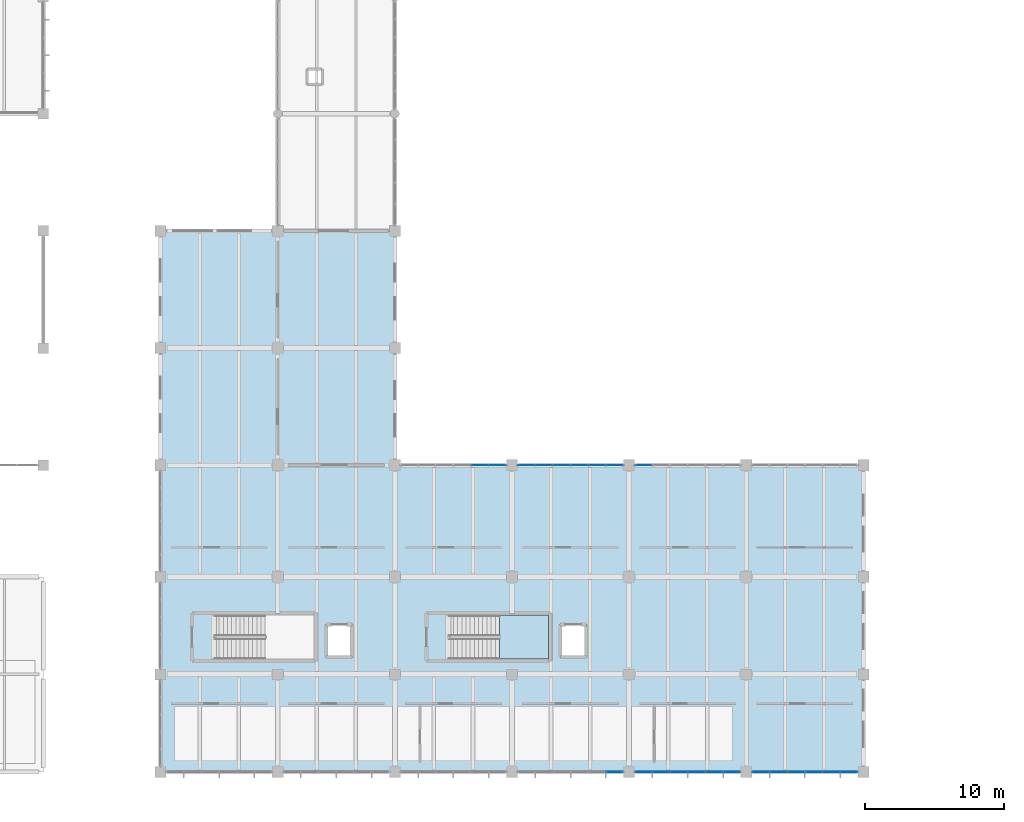
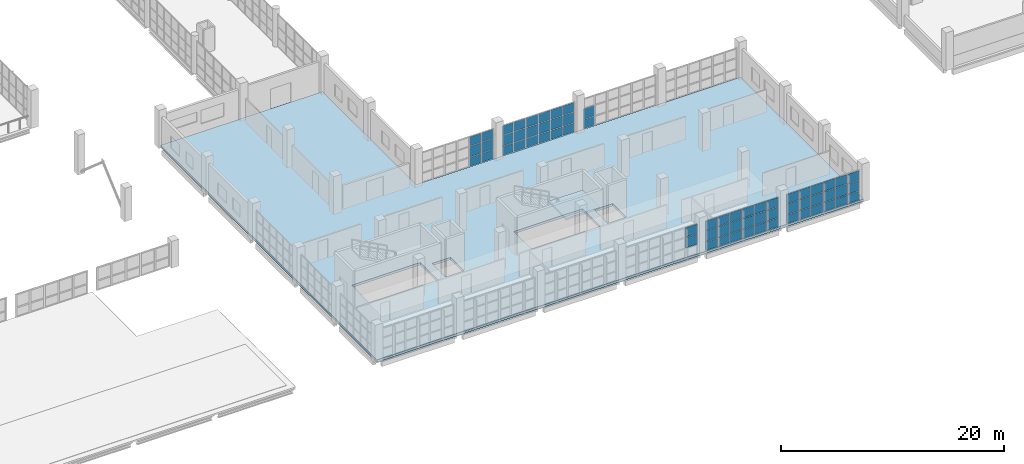
# One storey, part 125 of 177: 64 plates, 2 slabs, 7 elements without a shape of their own.
"""IFC4 building model written with IfcOpenShell, lengths in metres."""

from ifc_helpers import new_model, si_unit, direction, frame, origin, origin_2d, place, context, subcontext, project, spatial, polyline, rectangle, outline, extrude, material, layer, layer_set, type_object, element, aggregate, save


model = new_model("IFC4")

# Units and contexts
model_context = context("Model", 3, precision=1e-05, world=origin(), true_north=direction((0.0, 1.0)))
body_context = subcontext(model_context, "Body", "Model", "MODEL_VIEW")
ifc_project = project(units=[si_unit("LENGTHUNIT", "METRE"), si_unit("AREAUNIT", "SQUARE_METRE"), si_unit("VOLUMEUNIT", "CUBIC_METRE"), si_unit("PLANEANGLEUNIT", "RADIAN"), si_unit("MASSUNIT", "GRAM", prefix="KILO"), si_unit("THERMODYNAMICTEMPERATUREUNIT", "KELVIN"), si_unit("POWERUNIT", "WATT")], contexts=[model_context])

# Site, building, storey
site_placement = place(None, origin())
site = spatial("IfcSite", under=ifc_project, at=site_placement, CompositionType="ELEMENT")
building_placement = place(site_placement, origin())
building = spatial("IfcBuilding", under=site, at=building_placement, Name="Mavoryth Pier Ferry Terminal", CompositionType="ELEMENT")
storey_placement = place(building_placement, frame((0.0, 0.0, 5.43994140625)))
storey = spatial("IfcBuildingStorey", under=building, at=storey_placement, Name="L01", CompositionType="ELEMENT", Elevation=5.43994140625)

# Curtain wall, plates
ifc_material_1 = material(Name="Anodised Aluminium and Solar-Control Low-E Glass", Category="aluminium")
ifc_layer_1 = layer(ifc_material_1, 0.239990234375, Name="Anodised Aluminium and Solar-Control Low-E Glass", Category="aluminium")
ifc_layer_set_1 = layer_set([ifc_layer_1], Name="Anodised Aluminium and Solar-Control Low-E Glass - CW-Operations-Mod1200")
curtain_wall_type = type_object("IfcCurtainWallType", Name="CW-Operations-Mod1200", PredefinedType="USERDEFINED", material=ifc_layer_set_1)
curtain_wall_1_placement = place(storey_placement, origin())
curtain_wall_1 = element("IfcCurtainWall", 1, at=curtain_wall_1_placement, inside=storey, type_object=curtain_wall_type, Name="Curtain Wall CW-0122-113", ObjectType="UNITISED CURTAIN WALL", PredefinedType="USERDEFINED")
ifc_material_2 = material(Name="Solar-Control Low-E Laminated Double Glazing", Category="glass")
ifc_layer_2 = layer(ifc_material_2, 0.02392578125, Name="Solar-Control Low-E Laminated Double Glazing", Category="glass")
ifc_layer_set_2 = layer_set([ifc_layer_2], Name="Solar-Control Low-E Laminated Double Glazing - Panel-LowE-DGU-24")
plate_type_1 = type_object("IfcPlateType", Name="Panel-LowE-DGU-24", PredefinedType="CURTAIN_PANEL", material=ifc_layer_set_2)
plate_1_placement = place(storey_placement, frame((66.151611328125, 22.0, 0.06005859375), z_axis=(0.0, 0.0, 1.0), x_axis=(-1.0, 0.0, 0.0)))
plate_1 = element("IfcPlate", 2, at=plate_1_placement, type_object=plate_type_1, Name="CW06 panel 1.1", PredefinedType="CURTAIN_PANEL", context=body_context, shape_type="SweptSolid", body=[
    extrude(rectangle(XDim=1.1767578125, YDim=0.02392578125, at=origin_2d()), origin(), (0.0, 0.0, 1.0), 0.9599609375),
])
plate_2_placement = place(storey_placement, frame((66.151611328125, 22.0, 1.080078125), z_axis=(0.0, 0.0, 1.0), x_axis=(-1.0, 0.0, 0.0)))
plate_2 = element("IfcPlate", 3, at=plate_2_placement, type_object=plate_type_1, Name="CW06 panel 1.2", PredefinedType="CURTAIN_PANEL", context=body_context, shape_type="SweptSolid", body=[
    extrude(rectangle(XDim=1.1767578125, YDim=0.02392578125, at=origin_2d()), origin(), (0.0, 0.0, 1.0), 1.139892578125),
])
plate_3_placement = place(storey_placement, frame((66.151611328125, 22.0, 2.280029296875), z_axis=(0.0, 0.0, 1.0), x_axis=(-1.0, 0.0, 0.0)))
plate_3 = element("IfcPlate", 4, at=plate_3_placement, type_object=plate_type_1, Name="CW06 panel 1.3", PredefinedType="CURTAIN_PANEL", context=body_context, shape_type="SweptSolid", body=[
    extrude(rectangle(XDim=1.1767578125, YDim=0.02392578125, at=origin_2d()), origin(), (0.0, 0.0, 1.0), 1.0048828125),
])
plate_4_placement = place(storey_placement, frame((64.89990234375, 22.0, 0.06005859375), z_axis=(0.0, 0.0, 1.0), x_axis=(-1.0, 0.0, 0.0)))
plate_4 = element("IfcPlate", 5, at=plate_4_placement, type_object=plate_type_1, Name="CW06 panel 2.1", PredefinedType="CURTAIN_PANEL", context=body_context, shape_type="SweptSolid", body=[
    extrude(rectangle(XDim=1.206787109375, YDim=0.02392578125, at=origin_2d()), origin(), (0.0, 0.0, 1.0), 0.9599609375),
])
plate_5_placement = place(storey_placement, frame((64.89990234375, 22.0, 1.080078125), z_axis=(0.0, 0.0, 1.0), x_axis=(-1.0, 0.0, 0.0)))
plate_5 = element("IfcPlate", 6, at=plate_5_placement, type_object=plate_type_1, Name="CW06 panel 2.2", PredefinedType="CURTAIN_PANEL", context=body_context, shape_type="SweptSolid", body=[
    extrude(rectangle(XDim=1.206787109375, YDim=0.02392578125, at=origin_2d()), origin(), (0.0, 0.0, 1.0), 1.139892578125),
])
plate_6_placement = place(storey_placement, frame((64.89990234375, 22.0, 2.280029296875), z_axis=(0.0, 0.0, 1.0), x_axis=(-1.0, 0.0, 0.0)))
plate_6 = element("IfcPlate", 7, at=plate_6_placement, type_object=plate_type_1, Name="CW06 panel 2.3", PredefinedType="CURTAIN_PANEL", context=body_context, shape_type="SweptSolid", body=[
    extrude(rectangle(XDim=1.206787109375, YDim=0.02392578125, at=origin_2d()), origin(), (0.0, 0.0, 1.0), 1.0048828125),
])
aggregate(curtain_wall_1, [plate_1, plate_2, plate_3, plate_4, plate_5, plate_6])

curtain_wall_2_placement = place(storey_placement, origin())
curtain_wall_2 = element("IfcCurtainWall", 8, at=curtain_wall_2_placement, inside=storey, type_object=curtain_wall_type, Name="Curtain Wall CW-0122-115", ObjectType="UNITISED CURTAIN WALL", PredefinedType="USERDEFINED")
plate_7_placement = place(storey_placement, frame((74.5517578125, 22.0, 0.06005859375), z_axis=(0.0, 0.0, 1.0), x_axis=(-1.0, 0.0, 0.0)))
plate_7 = element("IfcPlate", 9, at=plate_7_placement, type_object=plate_type_1, Name="CW06 panel 1.1", PredefinedType="CURTAIN_PANEL", context=body_context, shape_type="SweptSolid", body=[
    extrude(rectangle(XDim=1.1767578125, YDim=0.02392578125, at=origin_2d()), origin(), (0.0, 0.0, 1.0), 0.9599609375),
])
plate_8_placement = place(storey_placement, frame((74.5517578125, 22.0, 1.080078125), z_axis=(0.0, 0.0, 1.0), x_axis=(-1.0, 0.0, 0.0)))
plate_8 = element("IfcPlate", 10, at=plate_8_placement, type_object=plate_type_1, Name="CW06 panel 1.2", PredefinedType="CURTAIN_PANEL", context=body_context, shape_type="SweptSolid", body=[
    extrude(rectangle(XDim=1.1767578125, YDim=0.02392578125, at=origin_2d()), origin(), (0.0, 0.0, 1.0), 1.139892578125),
])
plate_9_placement = place(storey_placement, frame((74.5517578125, 22.0, 2.280029296875), z_axis=(0.0, 0.0, 1.0), x_axis=(-1.0, 0.0, 0.0)))
plate_9 = element("IfcPlate", 11, at=plate_9_placement, type_object=plate_type_1, Name="CW06 panel 1.3", PredefinedType="CURTAIN_PANEL", context=body_context, shape_type="SweptSolid", body=[
    extrude(rectangle(XDim=1.1767578125, YDim=0.02392578125, at=origin_2d()), origin(), (0.0, 0.0, 1.0), 1.0048828125),
])
plate_10_placement = place(storey_placement, frame((73.300048828125, 22.0, 0.06005859375), z_axis=(0.0, 0.0, 1.0), x_axis=(-1.0, 0.0, 0.0)))
plate_10 = element("IfcPlate", 12, at=plate_10_placement, type_object=plate_type_1, Name="CW06 panel 2.1", PredefinedType="CURTAIN_PANEL", context=body_context, shape_type="SweptSolid", body=[
    extrude(rectangle(XDim=1.206787109375, YDim=0.02392578125, at=origin_2d()), origin(), (0.0, 0.0, 1.0), 0.9599609375),
])
plate_11_placement = place(storey_placement, frame((73.300048828125, 22.0, 1.080078125), z_axis=(0.0, 0.0, 1.0), x_axis=(-1.0, 0.0, 0.0)))
plate_11 = element("IfcPlate", 13, at=plate_11_placement, type_object=plate_type_1, Name="CW06 panel 2.2", PredefinedType="CURTAIN_PANEL", context=body_context, shape_type="SweptSolid", body=[
    extrude(rectangle(XDim=1.206787109375, YDim=0.02392578125, at=origin_2d()), origin(), (0.0, 0.0, 1.0), 1.139892578125),
])
plate_12_placement = place(storey_placement, frame((73.300048828125, 22.0, 2.280029296875), z_axis=(0.0, 0.0, 1.0), x_axis=(-1.0, 0.0, 0.0)))
plate_12 = element("IfcPlate", 14, at=plate_12_placement, type_object=plate_type_1, Name="CW06 panel 2.3", PredefinedType="CURTAIN_PANEL", context=body_context, shape_type="SweptSolid", body=[
    extrude(rectangle(XDim=1.206787109375, YDim=0.02392578125, at=origin_2d()), origin(), (0.0, 0.0, 1.0), 1.0048828125),
])
plate_13_placement = place(storey_placement, frame((72.033447265625, 22.0, 0.06005859375), z_axis=(0.0, 0.0, 1.0), x_axis=(-1.0, 0.0, 0.0)))
plate_13 = element("IfcPlate", 15, at=plate_13_placement, type_object=plate_type_1, Name="CW06 panel 3.1", PredefinedType="CURTAIN_PANEL", context=body_context, shape_type="SweptSolid", body=[
    extrude(rectangle(XDim=1.206787109375, YDim=0.02392578125, at=origin_2d()), origin(), (0.0, 0.0, 1.0), 0.9599609375),
])
plate_14_placement = place(storey_placement, frame((72.033447265625, 22.0, 1.080078125), z_axis=(0.0, 0.0, 1.0), x_axis=(-1.0, 0.0, 0.0)))
plate_14 = element("IfcPlate", 16, at=plate_14_placement, type_object=plate_type_1, Name="CW06 panel 3.2", PredefinedType="CURTAIN_PANEL", context=body_context, shape_type="SweptSolid", body=[
    extrude(rectangle(XDim=1.206787109375, YDim=0.02392578125, at=origin_2d()), origin(), (0.0, 0.0, 1.0), 1.139892578125),
])
plate_15_placement = place(storey_placement, frame((72.033447265625, 22.0, 2.280029296875), z_axis=(0.0, 0.0, 1.0), x_axis=(-1.0, 0.0, 0.0)))
plate_15 = element("IfcPlate", 17, at=plate_15_placement, type_object=plate_type_1, Name="CW06 panel 3.3", PredefinedType="CURTAIN_PANEL", context=body_context, shape_type="SweptSolid", body=[
    extrude(rectangle(XDim=1.206787109375, YDim=0.02392578125, at=origin_2d()), origin(), (0.0, 0.0, 1.0), 1.0048828125),
])
plate_16_placement = place(storey_placement, frame((70.7666015625, 22.0, 0.06005859375), z_axis=(0.0, 0.0, 1.0), x_axis=(-1.0, 0.0, 0.0)))
plate_16 = element("IfcPlate", 18, at=plate_16_placement, type_object=plate_type_1, Name="CW06 panel 4.1", PredefinedType="CURTAIN_PANEL", context=body_context, shape_type="SweptSolid", body=[
    extrude(rectangle(XDim=1.206787109375, YDim=0.02392578125, at=origin_2d()), origin(), (0.0, 0.0, 1.0), 0.9599609375),
])
plate_17_placement = place(storey_placement, frame((70.7666015625, 22.0, 1.080078125), z_axis=(0.0, 0.0, 1.0), x_axis=(-1.0, 0.0, 0.0)))
plate_17 = element("IfcPlate", 19, at=plate_17_placement, type_object=plate_type_1, Name="CW06 panel 4.2", PredefinedType="CURTAIN_PANEL", context=body_context, shape_type="SweptSolid", body=[
    extrude(rectangle(XDim=1.206787109375, YDim=0.02392578125, at=origin_2d()), origin(), (0.0, 0.0, 1.0), 1.139892578125),
])
plate_18_placement = place(storey_placement, frame((70.7666015625, 22.0, 2.280029296875), z_axis=(0.0, 0.0, 1.0), x_axis=(-1.0, 0.0, 0.0)))
plate_18 = element("IfcPlate", 20, at=plate_18_placement, type_object=plate_type_1, Name="CW06 panel 4.3", PredefinedType="CURTAIN_PANEL", context=body_context, shape_type="SweptSolid", body=[
    extrude(rectangle(XDim=1.206787109375, YDim=0.02392578125, at=origin_2d()), origin(), (0.0, 0.0, 1.0), 1.0048828125),
])
plate_19_placement = place(storey_placement, frame((69.5, 22.0, 0.06005859375), z_axis=(0.0, 0.0, 1.0), x_axis=(-1.0, 0.0, 0.0)))
plate_19 = element("IfcPlate", 21, at=plate_19_placement, type_object=plate_type_1, Name="CW06 panel 5.1", PredefinedType="CURTAIN_PANEL", context=body_context, shape_type="SweptSolid", body=[
    extrude(rectangle(XDim=1.206787109375, YDim=0.02392578125, at=origin_2d()), origin(), (0.0, 0.0, 1.0), 0.9599609375),
])
plate_20_placement = place(storey_placement, frame((69.5, 22.0, 1.080078125), z_axis=(0.0, 0.0, 1.0), x_axis=(-1.0, 0.0, 0.0)))
plate_20 = element("IfcPlate", 22, at=plate_20_placement, type_object=plate_type_1, Name="CW06 panel 5.2", PredefinedType="CURTAIN_PANEL", context=body_context, shape_type="SweptSolid", body=[
    extrude(rectangle(XDim=1.206787109375, YDim=0.02392578125, at=origin_2d()), origin(), (0.0, 0.0, 1.0), 1.139892578125),
])
plate_21_placement = place(storey_placement, frame((69.5, 22.0, 2.280029296875), z_axis=(0.0, 0.0, 1.0), x_axis=(-1.0, 0.0, 0.0)))
plate_21 = element("IfcPlate", 23, at=plate_21_placement, type_object=plate_type_1, Name="CW06 panel 5.3", PredefinedType="CURTAIN_PANEL", context=body_context, shape_type="SweptSolid", body=[
    extrude(rectangle(XDim=1.206787109375, YDim=0.02392578125, at=origin_2d()), origin(), (0.0, 0.0, 1.0), 1.0048828125),
])
plate_22_placement = place(storey_placement, frame((68.248291015625, 22.0, 0.06005859375), z_axis=(0.0, 0.0, 1.0), x_axis=(-1.0, 0.0, 0.0)))
plate_22 = element("IfcPlate", 24, at=plate_22_placement, type_object=plate_type_1, Name="CW06 panel 6.1", PredefinedType="CURTAIN_PANEL", context=body_context, shape_type="SweptSolid", body=[
    extrude(rectangle(XDim=1.1767578125, YDim=0.02392578125, at=origin_2d()), origin(), (0.0, 0.0, 1.0), 0.9599609375),
])
plate_23_placement = place(storey_placement, frame((68.248291015625, 22.0, 1.080078125), z_axis=(0.0, 0.0, 1.0), x_axis=(-1.0, 0.0, 0.0)))
plate_23 = element("IfcPlate", 25, at=plate_23_placement, type_object=plate_type_1, Name="CW06 panel 6.2", PredefinedType="CURTAIN_PANEL", context=body_context, shape_type="SweptSolid", body=[
    extrude(rectangle(XDim=1.1767578125, YDim=0.02392578125, at=origin_2d()), origin(), (0.0, 0.0, 1.0), 1.139892578125),
])
plate_24_placement = place(storey_placement, frame((68.248291015625, 22.0, 2.280029296875), z_axis=(0.0, 0.0, 1.0), x_axis=(-1.0, 0.0, 0.0)))
plate_24 = element("IfcPlate", 26, at=plate_24_placement, type_object=plate_type_1, Name="CW06 panel 6.3", PredefinedType="CURTAIN_PANEL", context=body_context, shape_type="SweptSolid", body=[
    extrude(rectangle(XDim=1.1767578125, YDim=0.02392578125, at=origin_2d()), origin(), (0.0, 0.0, 1.0), 1.0048828125),
])
aggregate(curtain_wall_2, [plate_7, plate_8, plate_9, plate_10, plate_11, plate_12, plate_13, plate_14, plate_15, plate_16, plate_17, plate_18, plate_19, plate_20, plate_21, plate_22, plate_23, plate_24])

curtain_wall_3_placement = place(storey_placement, origin())
curtain_wall_3 = element("IfcCurtainWall", 27, at=curtain_wall_3_placement, inside=storey, type_object=curtain_wall_type, Name="Curtain Wall CW-0122-117", ObjectType="UNITISED CURTAIN WALL", PredefinedType="USERDEFINED")
plate_25_placement = place(storey_placement, frame((76.6484375, 22.0, 0.06005859375), z_axis=(0.0, 0.0, 1.0), x_axis=(-1.0, 0.0, 0.0)))
plate_25 = element("IfcPlate", 28, at=plate_25_placement, type_object=plate_type_1, Name="CW06 panel 6.1", PredefinedType="CURTAIN_PANEL", context=body_context, shape_type="SweptSolid", body=[
    extrude(rectangle(XDim=1.1767578125, YDim=0.02392578125, at=origin_2d()), origin(), (0.0, 0.0, 1.0), 0.9599609375),
])
plate_26_placement = place(storey_placement, frame((76.6484375, 22.0, 1.080078125), z_axis=(0.0, 0.0, 1.0), x_axis=(-1.0, 0.0, 0.0)))
plate_26 = element("IfcPlate", 29, at=plate_26_placement, type_object=plate_type_1, Name="CW06 panel 6.2", PredefinedType="CURTAIN_PANEL", context=body_context, shape_type="SweptSolid", body=[
    extrude(rectangle(XDim=1.1767578125, YDim=0.02392578125, at=origin_2d()), origin(), (0.0, 0.0, 1.0), 1.139892578125),
])
aggregate(curtain_wall_3, [plate_25, plate_26])

curtain_wall_4_placement = place(storey_placement, origin())
curtain_wall_4 = element("IfcCurtainWall", 30, at=curtain_wall_4_placement, inside=storey, type_object=curtain_wall_type, Name="Curtain Wall CW-0122-114", ObjectType="UNITISED CURTAIN WALL", PredefinedType="USERDEFINED")
ifc_material_3 = material(Name="Insulated Bronze-Anodised Aluminium Spandrel Panel", Category="aluminium")
ifc_layer_3 = layer(ifc_material_3, 0.0439453125, Name="Insulated Bronze-Anodised Aluminium Spandrel Panel", Category="aluminium")
ifc_layer_set_3 = layer_set([ifc_layer_3], Name="Insulated Bronze-Anodised Aluminium Spandrel Panel - Panel-Spandrel-Alum-44")
plate_type_2 = type_object("IfcPlateType", Name="Panel-Spandrel-Alum-44", PredefinedType="CURTAIN_PANEL", material=ifc_layer_set_3)
plate_27_placement = place(storey_placement, frame((74.5517578125, 0.0, 1.080078125), z_axis=(0.0, 0.0, 1.0), x_axis=(1.0, 0.0, 0.0)))
plate_27 = element("IfcPlate", 31, at=plate_27_placement, type_object=plate_type_2, Name="CW06 panel 6.2", PredefinedType="CURTAIN_PANEL", context=body_context, shape_type="SweptSolid", body=[
    extrude(rectangle(XDim=1.1767578125, YDim=0.0439453125, at=origin_2d()), origin(), (0.0, 0.0, 1.0), 1.139892578125),
])
plate_28_placement = place(storey_placement, frame((74.5517578125, 0.0, 2.280029296875), z_axis=(0.0, 0.0, 1.0), x_axis=(1.0, 0.0, 0.0)))
plate_28 = element("IfcPlate", 32, at=plate_28_placement, type_object=plate_type_2, Name="CW06 panel 6.3", PredefinedType="CURTAIN_PANEL", context=body_context, shape_type="SweptSolid", body=[
    extrude(rectangle(XDim=1.1767578125, YDim=0.0439453125, at=origin_2d()), origin(), (0.0, 0.0, 1.0), 1.0048828125),
])
aggregate(curtain_wall_4, [plate_27, plate_28])

curtain_wall_5_placement = place(storey_placement, origin())
curtain_wall_5 = element("IfcCurtainWall", 33, at=curtain_wall_5_placement, inside=storey, type_object=curtain_wall_type, Name="Curtain Wall CW-0122-116", ObjectType="UNITISED CURTAIN WALL", PredefinedType="USERDEFINED")
plate_29_placement = place(storey_placement, frame((76.6484375, 0.0, 0.06005859375), z_axis=(0.0, 0.0, 1.0), x_axis=(1.0, 0.0, 0.0)))
plate_29 = element("IfcPlate", 34, at=plate_29_placement, type_object=plate_type_2, Name="CW06 panel 1.1", PredefinedType="CURTAIN_PANEL", context=body_context, shape_type="SweptSolid", body=[
    extrude(rectangle(XDim=1.1767578125, YDim=0.0439453125, at=origin_2d()), origin(), (0.0, 0.0, 1.0), 0.9599609375),
])
plate_30_placement = place(storey_placement, frame((76.6484375, 0.0, 1.080078125), z_axis=(0.0, 0.0, 1.0), x_axis=(1.0, 0.0, 0.0)))
plate_30 = element("IfcPlate", 35, at=plate_30_placement, type_object=plate_type_2, Name="CW06 panel 1.2", PredefinedType="CURTAIN_PANEL", context=body_context, shape_type="SweptSolid", body=[
    extrude(rectangle(XDim=1.1767578125, YDim=0.0439453125, at=origin_2d()), origin(), (0.0, 0.0, 1.0), 1.139892578125),
])
plate_31_placement = place(storey_placement, frame((76.6484375, 0.0, 2.280029296875), z_axis=(0.0, 0.0, 1.0), x_axis=(1.0, 0.0, 0.0)))
plate_31 = element("IfcPlate", 36, at=plate_31_placement, type_object=plate_type_2, Name="CW06 panel 1.3", PredefinedType="CURTAIN_PANEL", context=body_context, shape_type="SweptSolid", body=[
    extrude(rectangle(XDim=1.1767578125, YDim=0.0439453125, at=origin_2d()), origin(), (0.0, 0.0, 1.0), 1.0048828125),
])
plate_32_placement = place(storey_placement, frame((77.89990234375, 0.0, 0.06005859375), z_axis=(0.0, 0.0, 1.0), x_axis=(1.0, 0.0, 0.0)))
plate_32 = element("IfcPlate", 37, at=plate_32_placement, type_object=plate_type_2, Name="CW06 panel 2.1", PredefinedType="CURTAIN_PANEL", context=body_context, shape_type="SweptSolid", body=[
    extrude(rectangle(XDim=1.206787109375, YDim=0.0439453125, at=origin_2d()), origin(), (0.0, 0.0, 1.0), 0.9599609375),
])
plate_33_placement = place(storey_placement, frame((77.89990234375, 0.0, 1.080078125), z_axis=(0.0, 0.0, 1.0), x_axis=(1.0, 0.0, 0.0)))
plate_33 = element("IfcPlate", 38, at=plate_33_placement, type_object=plate_type_2, Name="CW06 panel 2.2", PredefinedType="CURTAIN_PANEL", context=body_context, shape_type="SweptSolid", body=[
    extrude(rectangle(XDim=1.206787109375, YDim=0.0439453125, at=origin_2d()), origin(), (0.0, 0.0, 1.0), 1.139892578125),
])
plate_34_placement = place(storey_placement, frame((77.89990234375, 0.0, 2.280029296875), z_axis=(0.0, 0.0, 1.0), x_axis=(1.0, 0.0, 0.0)))
plate_34 = element("IfcPlate", 39, at=plate_34_placement, type_object=plate_type_2, Name="CW06 panel 2.3", PredefinedType="CURTAIN_PANEL", context=body_context, shape_type="SweptSolid", body=[
    extrude(rectangle(XDim=1.206787109375, YDim=0.0439453125, at=origin_2d()), origin(), (0.0, 0.0, 1.0), 1.0048828125),
])
plate_35_placement = place(storey_placement, frame((79.166748046875, 0.0, 0.06005859375), z_axis=(0.0, 0.0, 1.0), x_axis=(1.0, 0.0, 0.0)))
plate_35 = element("IfcPlate", 40, at=plate_35_placement, type_object=plate_type_2, Name="CW06 panel 3.1", PredefinedType="CURTAIN_PANEL", context=body_context, shape_type="SweptSolid", body=[
    extrude(rectangle(XDim=1.206787109375, YDim=0.0439453125, at=origin_2d()), origin(), (0.0, 0.0, 1.0), 0.9599609375),
])
plate_36_placement = place(storey_placement, frame((79.166748046875, 0.0, 1.080078125), z_axis=(0.0, 0.0, 1.0), x_axis=(1.0, 0.0, 0.0)))
plate_36 = element("IfcPlate", 41, at=plate_36_placement, type_object=plate_type_2, Name="CW06 panel 3.2", PredefinedType="CURTAIN_PANEL", context=body_context, shape_type="SweptSolid", body=[
    extrude(rectangle(XDim=1.206787109375, YDim=0.0439453125, at=origin_2d()), origin(), (0.0, 0.0, 1.0), 1.139892578125),
])
plate_37_placement = place(storey_placement, frame((79.166748046875, 0.0, 2.280029296875), z_axis=(0.0, 0.0, 1.0), x_axis=(1.0, 0.0, 0.0)))
plate_37 = element("IfcPlate", 42, at=plate_37_placement, type_object=plate_type_2, Name="CW06 panel 3.3", PredefinedType="CURTAIN_PANEL", context=body_context, shape_type="SweptSolid", body=[
    extrude(rectangle(XDim=1.206787109375, YDim=0.0439453125, at=origin_2d()), origin(), (0.0, 0.0, 1.0), 1.0048828125),
])
plate_38_placement = place(storey_placement, frame((80.433349609375, 0.0, 0.06005859375), z_axis=(0.0, 0.0, 1.0), x_axis=(1.0, 0.0, 0.0)))
plate_38 = element("IfcPlate", 43, at=plate_38_placement, type_object=plate_type_2, Name="CW06 panel 4.1", PredefinedType="CURTAIN_PANEL", context=body_context, shape_type="SweptSolid", body=[
    extrude(rectangle(XDim=1.206787109375, YDim=0.0439453125, at=origin_2d()), origin(), (0.0, 0.0, 1.0), 0.9599609375),
])
plate_39_placement = place(storey_placement, frame((80.433349609375, 0.0, 1.080078125), z_axis=(0.0, 0.0, 1.0), x_axis=(1.0, 0.0, 0.0)))
plate_39 = element("IfcPlate", 44, at=plate_39_placement, type_object=plate_type_2, Name="CW06 panel 4.2", PredefinedType="CURTAIN_PANEL", context=body_context, shape_type="SweptSolid", body=[
    extrude(rectangle(XDim=1.206787109375, YDim=0.0439453125, at=origin_2d()), origin(), (0.0, 0.0, 1.0), 1.139892578125),
])
plate_40_placement = place(storey_placement, frame((80.433349609375, 0.0, 2.280029296875), z_axis=(0.0, 0.0, 1.0), x_axis=(1.0, 0.0, 0.0)))
plate_40 = element("IfcPlate", 45, at=plate_40_placement, type_object=plate_type_2, Name="CW06 panel 4.3", PredefinedType="CURTAIN_PANEL", context=body_context, shape_type="SweptSolid", body=[
    extrude(rectangle(XDim=1.206787109375, YDim=0.0439453125, at=origin_2d()), origin(), (0.0, 0.0, 1.0), 1.0048828125),
])
plate_41_placement = place(storey_placement, frame((81.699951171875, 0.0, 0.06005859375), z_axis=(0.0, 0.0, 1.0), x_axis=(1.0, 0.0, 0.0)))
plate_41 = element("IfcPlate", 46, at=plate_41_placement, type_object=plate_type_2, Name="CW06 panel 5.1", PredefinedType="CURTAIN_PANEL", context=body_context, shape_type="SweptSolid", body=[
    extrude(rectangle(XDim=1.206787109375, YDim=0.0439453125, at=origin_2d()), origin(), (0.0, 0.0, 1.0), 0.9599609375),
])
plate_42_placement = place(storey_placement, frame((81.699951171875, 0.0, 1.080078125), z_axis=(0.0, 0.0, 1.0), x_axis=(1.0, 0.0, 0.0)))
plate_42 = element("IfcPlate", 47, at=plate_42_placement, type_object=plate_type_2, Name="CW06 panel 5.2", PredefinedType="CURTAIN_PANEL", context=body_context, shape_type="SweptSolid", body=[
    extrude(rectangle(XDim=1.206787109375, YDim=0.0439453125, at=origin_2d()), origin(), (0.0, 0.0, 1.0), 1.139892578125),
])
plate_43_placement = place(storey_placement, frame((81.699951171875, 0.0, 2.280029296875), z_axis=(0.0, 0.0, 1.0), x_axis=(1.0, 0.0, 0.0)))
plate_43 = element("IfcPlate", 48, at=plate_43_placement, type_object=plate_type_2, Name="CW06 panel 5.3", PredefinedType="CURTAIN_PANEL", context=body_context, shape_type="SweptSolid", body=[
    extrude(rectangle(XDim=1.206787109375, YDim=0.0439453125, at=origin_2d()), origin(), (0.0, 0.0, 1.0), 1.0048828125),
])
plate_44_placement = place(storey_placement, frame((82.95166015625, 0.0, 0.06005859375), z_axis=(0.0, 0.0, 1.0), x_axis=(1.0, 0.0, 0.0)))
plate_44 = element("IfcPlate", 49, at=plate_44_placement, type_object=plate_type_2, Name="CW06 panel 6.1", PredefinedType="CURTAIN_PANEL", context=body_context, shape_type="SweptSolid", body=[
    extrude(rectangle(XDim=1.1767578125, YDim=0.0439453125, at=origin_2d()), origin(), (0.0, 0.0, 1.0), 0.9599609375),
])
plate_45_placement = place(storey_placement, frame((82.95166015625, 0.0, 1.080078125), z_axis=(0.0, 0.0, 1.0), x_axis=(1.0, 0.0, 0.0)))
plate_45 = element("IfcPlate", 50, at=plate_45_placement, type_object=plate_type_2, Name="CW06 panel 6.2", PredefinedType="CURTAIN_PANEL", context=body_context, shape_type="SweptSolid", body=[
    extrude(rectangle(XDim=1.1767578125, YDim=0.0439453125, at=origin_2d()), origin(), (0.0, 0.0, 1.0), 1.139892578125),
])
plate_46_placement = place(storey_placement, frame((82.95166015625, 0.0, 2.280029296875), z_axis=(0.0, 0.0, 1.0), x_axis=(1.0, 0.0, 0.0)))
plate_46 = element("IfcPlate", 51, at=plate_46_placement, type_object=plate_type_2, Name="CW06 panel 6.3", PredefinedType="CURTAIN_PANEL", context=body_context, shape_type="SweptSolid", body=[
    extrude(rectangle(XDim=1.1767578125, YDim=0.0439453125, at=origin_2d()), origin(), (0.0, 0.0, 1.0), 1.0048828125),
])
aggregate(curtain_wall_5, [plate_29, plate_30, plate_31, plate_32, plate_33, plate_34, plate_35, plate_36, plate_37, plate_38, plate_39, plate_40, plate_41, plate_42, plate_43, plate_44, plate_45, plate_46])

curtain_wall_6_placement = place(storey_placement, origin())
curtain_wall_6 = element("IfcCurtainWall", 52, at=curtain_wall_6_placement, inside=storey, type_object=curtain_wall_type, Name="Curtain Wall CW-0122-118", ObjectType="UNITISED CURTAIN WALL", PredefinedType="USERDEFINED")
plate_47_placement = place(storey_placement, frame((85.04833984375, 0.0, 0.06005859375), z_axis=(0.0, 0.0, 1.0), x_axis=(1.0, 0.0, 0.0)))
plate_47 = element("IfcPlate", 53, at=plate_47_placement, type_object=plate_type_2, Name="CW06 panel 1.1", PredefinedType="CURTAIN_PANEL", context=body_context, shape_type="SweptSolid", body=[
    extrude(rectangle(XDim=1.1767578125, YDim=0.0439453125, at=origin_2d()), origin(), (0.0, 0.0, 1.0), 0.9599609375),
])
plate_48_placement = place(storey_placement, frame((85.04833984375, 0.0, 1.080078125), z_axis=(0.0, 0.0, 1.0), x_axis=(1.0, 0.0, 0.0)))
plate_48 = element("IfcPlate", 54, at=plate_48_placement, type_object=plate_type_2, Name="CW06 panel 1.2", PredefinedType="CURTAIN_PANEL", context=body_context, shape_type="SweptSolid", body=[
    extrude(rectangle(XDim=1.1767578125, YDim=0.0439453125, at=origin_2d()), origin(), (0.0, 0.0, 1.0), 1.139892578125),
])
plate_49_placement = place(storey_placement, frame((85.04833984375, 0.0, 2.280029296875), z_axis=(0.0, 0.0, 1.0), x_axis=(1.0, 0.0, 0.0)))
plate_49 = element("IfcPlate", 55, at=plate_49_placement, type_object=plate_type_2, Name="CW06 panel 1.3", PredefinedType="CURTAIN_PANEL", context=body_context, shape_type="SweptSolid", body=[
    extrude(rectangle(XDim=1.1767578125, YDim=0.0439453125, at=origin_2d()), origin(), (0.0, 0.0, 1.0), 1.0048828125),
])
plate_50_placement = place(storey_placement, frame((86.300048828125, 0.0, 0.06005859375), z_axis=(0.0, 0.0, 1.0), x_axis=(1.0, 0.0, 0.0)))
plate_50 = element("IfcPlate", 56, at=plate_50_placement, type_object=plate_type_2, Name="CW06 panel 2.1", PredefinedType="CURTAIN_PANEL", context=body_context, shape_type="SweptSolid", body=[
    extrude(rectangle(XDim=1.206787109375, YDim=0.0439453125, at=origin_2d()), origin(), (0.0, 0.0, 1.0), 0.9599609375),
])
plate_51_placement = place(storey_placement, frame((86.300048828125, 0.0, 1.080078125), z_axis=(0.0, 0.0, 1.0), x_axis=(1.0, 0.0, 0.0)))
plate_51 = element("IfcPlate", 57, at=plate_51_placement, type_object=plate_type_2, Name="CW06 panel 2.2", PredefinedType="CURTAIN_PANEL", context=body_context, shape_type="SweptSolid", body=[
    extrude(rectangle(XDim=1.206787109375, YDim=0.0439453125, at=origin_2d()), origin(), (0.0, 0.0, 1.0), 1.139892578125),
])
plate_52_placement = place(storey_placement, frame((86.300048828125, 0.0, 2.280029296875), z_axis=(0.0, 0.0, 1.0), x_axis=(1.0, 0.0, 0.0)))
plate_52 = element("IfcPlate", 58, at=plate_52_placement, type_object=plate_type_2, Name="CW06 panel 2.3", PredefinedType="CURTAIN_PANEL", context=body_context, shape_type="SweptSolid", body=[
    extrude(rectangle(XDim=1.206787109375, YDim=0.0439453125, at=origin_2d()), origin(), (0.0, 0.0, 1.0), 1.0048828125),
])
plate_53_placement = place(storey_placement, frame((87.566650390625, 0.0, 0.06005859375), z_axis=(0.0, 0.0, 1.0), x_axis=(1.0, 0.0, 0.0)))
plate_53 = element("IfcPlate", 59, at=plate_53_placement, type_object=plate_type_2, Name="CW06 panel 3.1", PredefinedType="CURTAIN_PANEL", context=body_context, shape_type="SweptSolid", body=[
    extrude(rectangle(XDim=1.206787109375, YDim=0.0439453125, at=origin_2d()), origin(), (0.0, 0.0, 1.0), 0.9599609375),
])
plate_54_placement = place(storey_placement, frame((87.566650390625, 0.0, 1.080078125), z_axis=(0.0, 0.0, 1.0), x_axis=(1.0, 0.0, 0.0)))
plate_54 = element("IfcPlate", 60, at=plate_54_placement, type_object=plate_type_2, Name="CW06 panel 3.2", PredefinedType="CURTAIN_PANEL", context=body_context, shape_type="SweptSolid", body=[
    extrude(rectangle(XDim=1.206787109375, YDim=0.0439453125, at=origin_2d()), origin(), (0.0, 0.0, 1.0), 1.139892578125),
])
plate_55_placement = place(storey_placement, frame((87.566650390625, 0.0, 2.280029296875), z_axis=(0.0, 0.0, 1.0), x_axis=(1.0, 0.0, 0.0)))
plate_55 = element("IfcPlate", 61, at=plate_55_placement, type_object=plate_type_2, Name="CW06 panel 3.3", PredefinedType="CURTAIN_PANEL", context=body_context, shape_type="SweptSolid", body=[
    extrude(rectangle(XDim=1.206787109375, YDim=0.0439453125, at=origin_2d()), origin(), (0.0, 0.0, 1.0), 1.0048828125),
])
plate_56_placement = place(storey_placement, frame((88.833251953125, 0.0, 0.06005859375), z_axis=(0.0, 0.0, 1.0), x_axis=(1.0, 0.0, 0.0)))
plate_56 = element("IfcPlate", 62, at=plate_56_placement, type_object=plate_type_2, Name="CW06 panel 4.1", PredefinedType="CURTAIN_PANEL", context=body_context, shape_type="SweptSolid", body=[
    extrude(rectangle(XDim=1.206787109375, YDim=0.0439453125, at=origin_2d()), origin(), (0.0, 0.0, 1.0), 0.9599609375),
])
plate_57_placement = place(storey_placement, frame((88.833251953125, 0.0, 1.080078125), z_axis=(0.0, 0.0, 1.0), x_axis=(1.0, 0.0, 0.0)))
plate_57 = element("IfcPlate", 63, at=plate_57_placement, type_object=plate_type_2, Name="CW06 panel 4.2", PredefinedType="CURTAIN_PANEL", context=body_context, shape_type="SweptSolid", body=[
    extrude(rectangle(XDim=1.206787109375, YDim=0.0439453125, at=origin_2d()), origin(), (0.0, 0.0, 1.0), 1.139892578125),
])
plate_58_placement = place(storey_placement, frame((88.833251953125, 0.0, 2.280029296875), z_axis=(0.0, 0.0, 1.0), x_axis=(1.0, 0.0, 0.0)))
plate_58 = element("IfcPlate", 64, at=plate_58_placement, type_object=plate_type_2, Name="CW06 panel 4.3", PredefinedType="CURTAIN_PANEL", context=body_context, shape_type="SweptSolid", body=[
    extrude(rectangle(XDim=1.206787109375, YDim=0.0439453125, at=origin_2d()), origin(), (0.0, 0.0, 1.0), 1.0048828125),
])
plate_59_placement = place(storey_placement, frame((90.10009765625, 0.0, 0.06005859375), z_axis=(0.0, 0.0, 1.0), x_axis=(1.0, 0.0, 0.0)))
plate_59 = element("IfcPlate", 65, at=plate_59_placement, type_object=plate_type_2, Name="CW06 panel 5.1", PredefinedType="CURTAIN_PANEL", context=body_context, shape_type="SweptSolid", body=[
    extrude(rectangle(XDim=1.206787109375, YDim=0.0439453125, at=origin_2d()), origin(), (0.0, 0.0, 1.0), 0.9599609375),
])
plate_60_placement = place(storey_placement, frame((90.10009765625, 0.0, 1.080078125), z_axis=(0.0, 0.0, 1.0), x_axis=(1.0, 0.0, 0.0)))
plate_60 = element("IfcPlate", 66, at=plate_60_placement, type_object=plate_type_2, Name="CW06 panel 5.2", PredefinedType="CURTAIN_PANEL", context=body_context, shape_type="SweptSolid", body=[
    extrude(rectangle(XDim=1.206787109375, YDim=0.0439453125, at=origin_2d()), origin(), (0.0, 0.0, 1.0), 1.139892578125),
])
plate_61_placement = place(storey_placement, frame((90.10009765625, 0.0, 2.280029296875), z_axis=(0.0, 0.0, 1.0), x_axis=(1.0, 0.0, 0.0)))
plate_61 = element("IfcPlate", 67, at=plate_61_placement, type_object=plate_type_2, Name="CW06 panel 5.3", PredefinedType="CURTAIN_PANEL", context=body_context, shape_type="SweptSolid", body=[
    extrude(rectangle(XDim=1.206787109375, YDim=0.0439453125, at=origin_2d()), origin(), (0.0, 0.0, 1.0), 1.0048828125),
])
plate_62_placement = place(storey_placement, frame((91.3515625, 0.0, 0.06005859375), z_axis=(0.0, 0.0, 1.0), x_axis=(1.0, 0.0, 0.0)))
plate_62 = element("IfcPlate", 68, at=plate_62_placement, type_object=plate_type_2, Name="CW06 panel 6.1", PredefinedType="CURTAIN_PANEL", context=body_context, shape_type="SweptSolid", body=[
    extrude(rectangle(XDim=1.1767578125, YDim=0.0439453125, at=origin_2d()), origin(), (0.0, 0.0, 1.0), 0.9599609375),
])
plate_63_placement = place(storey_placement, frame((91.3515625, 0.0, 1.080078125), z_axis=(0.0, 0.0, 1.0), x_axis=(1.0, 0.0, 0.0)))
plate_63 = element("IfcPlate", 69, at=plate_63_placement, type_object=plate_type_2, Name="CW06 panel 6.2", PredefinedType="CURTAIN_PANEL", context=body_context, shape_type="SweptSolid", body=[
    extrude(rectangle(XDim=1.1767578125, YDim=0.0439453125, at=origin_2d()), origin(), (0.0, 0.0, 1.0), 1.139892578125),
])
plate_64_placement = place(storey_placement, frame((91.3515625, 0.0, 2.280029296875), z_axis=(0.0, 0.0, 1.0), x_axis=(1.0, 0.0, 0.0)))
plate_64 = element("IfcPlate", 70, at=plate_64_placement, type_object=plate_type_2, Name="CW06 panel 6.3", PredefinedType="CURTAIN_PANEL", context=body_context, shape_type="SweptSolid", body=[
    extrude(rectangle(XDim=1.1767578125, YDim=0.0439453125, at=origin_2d()), origin(), (0.0, 0.0, 1.0), 1.0048828125),
])
aggregate(curtain_wall_6, [plate_47, plate_48, plate_49, plate_50, plate_51, plate_52, plate_53, plate_54, plate_55, plate_56, plate_57, plate_58, plate_59, plate_60, plate_61, plate_62, plate_63, plate_64])

# Slab
ifc_material_4 = material(Name="Concrete C35/45", Category="concrete")
ifc_layer_4 = layer(ifc_material_4, 0.260009765625, Name="Concrete C35/45", Category="concrete")
ifc_layer_set_4 = layer_set([ifc_layer_4], Name="Concrete C35/45 - Slab-Floor-Operations-260")
slab_type_1 = type_object("IfcSlabType", Name="Slab-Floor-Operations-260", PredefinedType="FLOOR", material=ifc_layer_set_4)
slab_1_placement = place(storey_placement, frame((0.0, 0.0, -0.260009765625)))
element("IfcSlab", 71, at=slab_1_placement, inside=storey, type_object=slab_type_1, Name="Slab SLB-V5-L01", PredefinedType="FLOOR", context=body_context, shape_type="SweptSolid", body=[
    extrude(outline(polyline([(42.0, 0.0), (92.39990234375, 0.0), (92.39990234375, 22.0), (58.800048828125, 22.0), (58.800048828125, 38.800048828125), (42.0, 38.800048828125), (42.0, 0.0)]), holes=[polyline([(45.89990234375, 8.10009765625), (53.0, 8.10009765625), (53.0, 11.25), (45.89990234375, 11.25), (45.89990234375, 8.10009765625)]), polyline([(62.699951171875, 8.10009765625), (69.800048828125, 8.10009765625), (69.800048828125, 11.25), (62.699951171875, 11.25), (62.699951171875, 8.10009765625)]), polyline([(53.85009765625, 8.199951171875), (55.75, 8.199951171875), (55.75, 10.60009765625), (53.85009765625, 10.60009765625), (53.85009765625, 8.199951171875)]), polyline([(70.64990234375, 8.199951171875), (72.550048828125, 8.199951171875), (72.550048828125, 10.60009765625), (70.64990234375, 10.60009765625), (70.64990234375, 8.199951171875)])]), origin(), (0.0, 0.0, 1.0), 0.260009765625),
])

# Stair, slab
stair_type = type_object("IfcStairType", Name="Stair-Core-W1500", PredefinedType="TWO_STRAIGHT_RUN_STAIR", material=ifc_material_4)
stair_placement = place(storey_placement, origin())
stair = element("IfcStair", 72, at=stair_placement, inside=storey, type_object=stair_type, Name="L01 Core C5B Stair", PredefinedType="TWO_STRAIGHT_RUN_STAIR")
ifc_layer_5 = layer(ifc_material_4, 0.199951171875, Name="Concrete C35/45", Category="concrete")
ifc_layer_set_5 = layer_set([ifc_layer_5], Name="Concrete C35/45 - Slab-Landing-RC-200")
slab_type_2 = type_object("IfcSlabType", Name="Slab-Landing-RC-200", PredefinedType="LANDING", material=ifc_layer_set_5)
slab_2_placement = place(storey_placement, frame((0.0, 0.0, 1.880126953125)))
slab_2 = element("IfcSlab", 73, at=slab_2_placement, type_object=slab_type_2, Name="ST12 landing 1", PredefinedType="LANDING", context=body_context, shape_type="SweptSolid", body=[
    extrude(outline(polyline([(66.300048828125, 8.10009765625), (69.800048828125, 8.10009765625), (69.800048828125, 11.25), (66.300048828125, 11.25), (66.300048828125, 8.10009765625)])), origin(), (0.0, 0.0, 1.0), 0.199951171875),
])
aggregate(stair, [slab_2])

save(model, "model.ifc")
